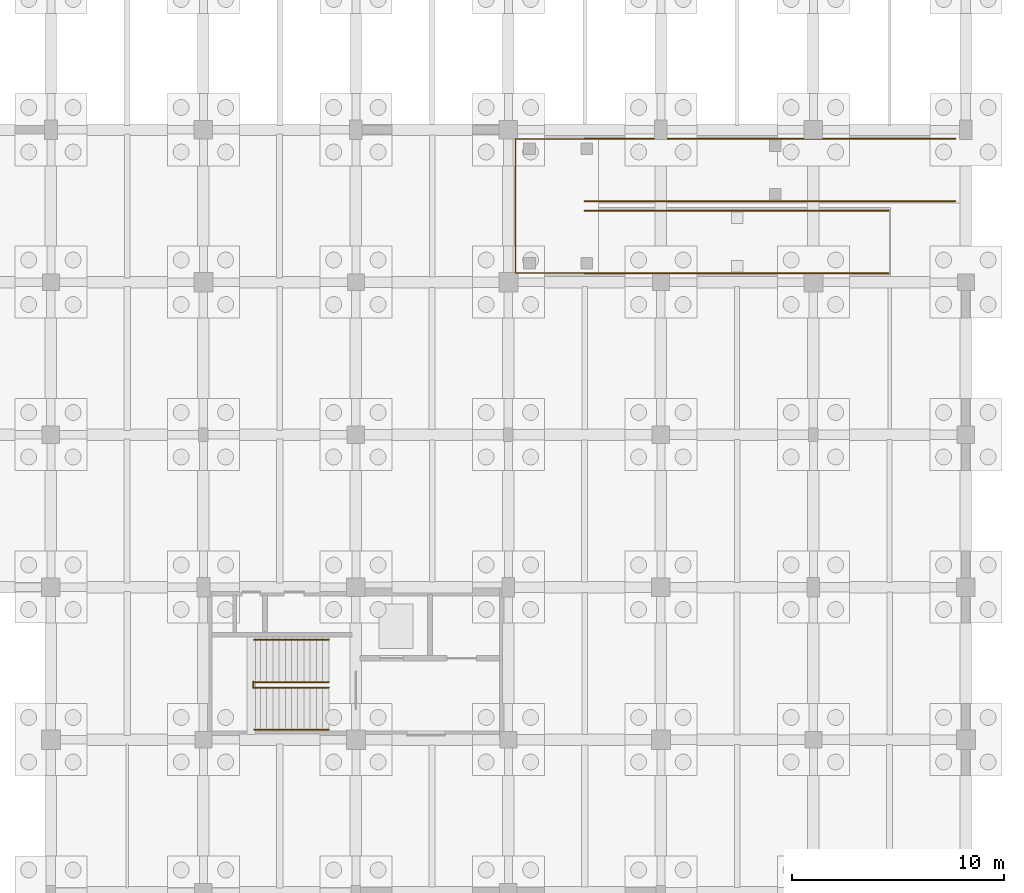
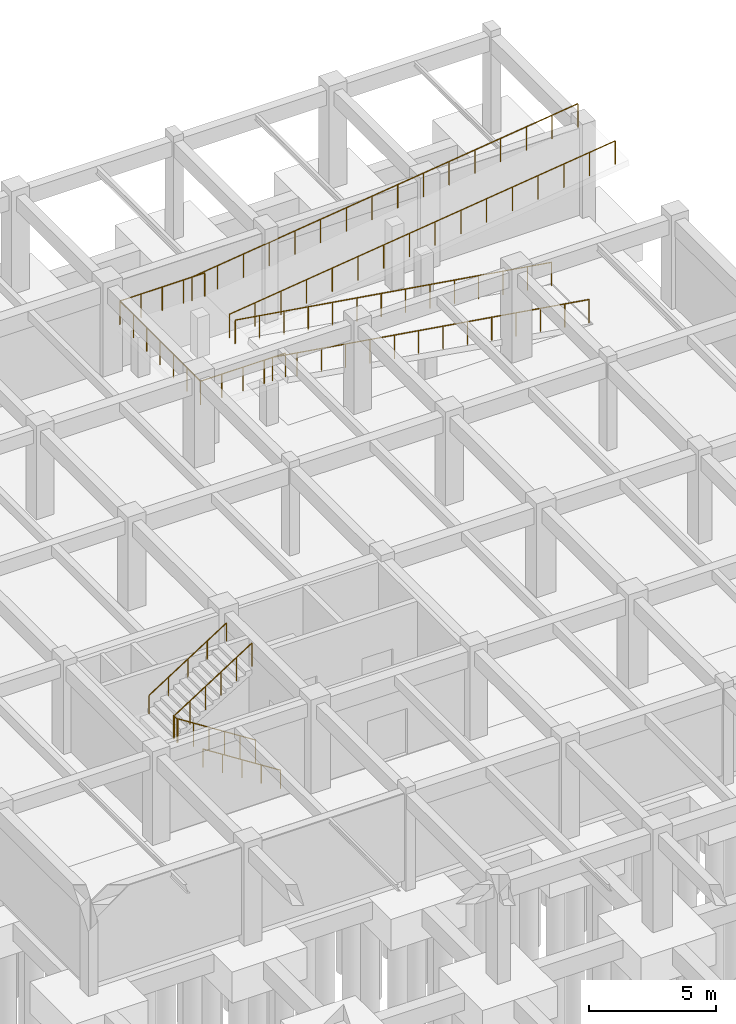
# One storey, part 46 of 47: 10 railings.
"""IFC4 building model written with IfcOpenShell, lengths in metres."""

import ifcopenshell
import ifcopenshell.guid

model = None  # the IFC model being written
_history = None  # IfcOwnerHistory: only IFC2X3 demands one
_inside = {}  # id of a spatial element -> (the spatial element, [elements in it])
_under = {}  # id of a project, library or spatial element -> (it, [spatial elements below it])
_declared = {}  # id of a project -> (the project, [libraries it declares])
_typed = {}  # id of a type object -> (the type object, [elements of that type])
_made_of = {}  # id of a material, layer set ... -> (it, [elements and type objects made of it])


def new_model(schema):
    """Start an empty IFC model of exactly this schema.

    Asked for "IFC4X3", IfcOpenShell would pick the latest addendum, in which some entities
    have other attributes; the version numbers below select the first issue.
    IFC2X3 requires an IfcOwnerHistory on every rooted entity: one is made here for all.
    """
    global model, _history
    if schema == "IFC4X3":
        model = ifcopenshell.file(schema_version=(4, 3, 0, 0))
    else:
        model = ifcopenshell.file(schema=schema)
    _inside.clear()
    _under.clear()
    _declared.clear()
    _typed.clear()
    _made_of.clear()
    _history = None
    if model.schema == "IFC2X3":
        org = make("IfcOrganization", Name="unknown")
        user = make(
            "IfcPersonAndOrganization",
            ThePerson=make("IfcPerson", FamilyName="unknown"),
            TheOrganization=org,
        )
        app = make(
            "IfcApplication",
            ApplicationDeveloper=org,
            Version="unknown",
            ApplicationFullName="unknown",
            ApplicationIdentifier="unknown",
        )
        _history = make(
            "IfcOwnerHistory",
            OwningUser=user,
            OwningApplication=app,
            ChangeAction="ADDED",
            CreationDate=0,
        )
    return model


def make(cls, **values):
    """One entity of the class cls with the attributes given. An attribute that is None is left unset."""
    return model.create_entity(
        cls, **{name: value for name, value in values.items() if value is not None}
    )


def rooted(cls, **values):
    """An entity with a GlobalId (a new one), such as an element, a storey or a relation."""
    return make(cls, GlobalId=ifcopenshell.guid.new(), OwnerHistory=_history, **values)


def si_unit(unit_type, name, prefix=None):
    """IfcSIUnit, for example si_unit("LENGTHUNIT", "METRE", prefix="MILLI")."""
    return make("IfcSIUnit", UnitType=unit_type, Prefix=prefix, Name=name)


def assignment(units):
    """IfcUnitAssignment: the units of a project."""
    return None if units is None else make("IfcUnitAssignment", Units=units)


def point(xyz):
    """IfcCartesianPoint."""
    return None if xyz is None else make("IfcCartesianPoint", Coordinates=xyz)


def direction(xyz):
    """IfcDirection."""
    return None if xyz is None else make("IfcDirection", DirectionRatios=xyz)


def frame(location, z_axis=None, x_axis=None):
    """IfcAxis2Placement3D, a coordinate frame: its origin and axes. An axis left out is left unset."""
    return make(
        "IfcAxis2Placement3D",
        Location=point(location),
        Axis=direction(z_axis),
        RefDirection=direction(x_axis),
    )


def frame_2d(location, x_axis=None):
    """IfcAxis2Placement2D, a coordinate frame in the plane: its origin and x axis."""
    return make(
        "IfcAxis2Placement2D", Location=point(location), RefDirection=direction(x_axis)
    )


def origin():
    """The frame at (0, 0, 0) with its axes left unset."""
    return frame((0.0, 0.0, 0.0))


def origin_2d():
    """The frame at (0, 0) in the plane with its x axis left unset."""
    return frame_2d((0.0, 0.0))


def place(relative_to, where):
    """IfcLocalPlacement: puts the frame where relative to a parent placement (None: the world)."""
    return make(
        "IfcLocalPlacement", PlacementRelTo=relative_to, RelativePlacement=where
    )


def context(
    kind, dimensions, precision=None, world=None, true_north=None, identifier=None
):
    """IfcGeometricRepresentationContext, for example the 3D "Model" context."""
    return make(
        "IfcGeometricRepresentationContext",
        ContextIdentifier=identifier,
        ContextType=kind,
        CoordinateSpaceDimension=dimensions,
        Precision=precision,
        WorldCoordinateSystem=world,
        TrueNorth=true_north,
    )


def subcontext(parent, identifier, kind, view, scale=None):
    """IfcGeometricRepresentationSubContext, for example "Body" below "Model"."""
    return make(
        "IfcGeometricRepresentationSubContext",
        ContextIdentifier=identifier,
        ContextType=kind,
        ParentContext=parent,
        TargetScale=scale,
        TargetView=view,
    )


def project(units=None, contexts=None):
    """IfcProject with its units and contexts."""
    return rooted(
        "IfcProject",
        Name="project",
        RepresentationContexts=contexts,
        UnitsInContext=assignment(units),
    )


def spatial(cls, under=None, at=None, **own):
    """A site, building, storey or space (cls), placed at a placement, below another one or the project."""
    s = rooted(cls, ObjectPlacement=at, **own)
    if under is not None:
        _under.setdefault(under.id(), (under, []))[1].append(s)
    return s


def profile(cls, at=None, kind="AREA", **sizes):
    """A parametric profile (cls). Its sizes go by their IFC names, for example OverallWidth=200.0."""
    return make(cls, ProfileType=kind, Position=at, **sizes)


def circle(**sizes):
    """IfcCircleProfileDef."""
    return profile("IfcCircleProfileDef", **sizes)


def extrude(swept, where, along, depth):
    """IfcExtrudedAreaSolid: the profile swept, set in the frame where, extruded along a direction by depth."""
    return make(
        "IfcExtrudedAreaSolid",
        SweptArea=swept,
        Position=where,
        ExtrudedDirection=direction(along),
        Depth=depth,
    )


def shape(context_of_items, identifier, shape_type, items):
    """IfcShapeRepresentation: the items that make up one representation, for example the "Body"."""
    return make(
        "IfcShapeRepresentation",
        ContextOfItems=context_of_items,
        RepresentationIdentifier=identifier,
        RepresentationType=shape_type,
        Items=items,
    )


def material(Name=None, Category=None):
    """IfcMaterial."""
    return make("IfcMaterial", Name=Name, Category=Category)


def made_of(thing, what):
    """Note that an element or type object is made of a material, layer set ...; save() writes the relation."""
    if what is not None:
        _made_of.setdefault(what.id(), (what, []))[1].append(thing)
    return thing


def type_object(cls, material=None, **own):
    """A type object (cls), such as IfcWallType, which elements share."""
    return made_of(rooted(cls, **own), material)


def element(
    cls,
    number,
    at=None,
    inside=None,
    cuts=None,
    type_object=None,
    material=None,
    context=None,
    identifier="Body",
    shape_type=None,
    held_by="IfcProductDefinitionShape",
    body=None,
    shapes=None,
    **own,
):
    """One element of the class cls, such as IfcWall. Its Tag is "e" and its number.

    at: its placement. inside: the storey or other place that contains it. cuts: it is an
    opening in that element (IfcRelVoidsElement). A single representation is given by context,
    identifier, shape_type and body (its items); several are given by shapes. held_by: the class
    of the entity that holds the representations. save() writes the other relations.
    """
    e = rooted(cls, Tag="e%d" % number, ObjectPlacement=at, **own)
    if body is not None:
        shapes = [shape(context, identifier, shape_type, body)]
    if shapes is not None:
        e.Representation = make(held_by, Representations=shapes)
    if inside is not None:
        _inside.setdefault(inside.id(), (inside, []))[1].append(e)
    if cuts is not None:
        rooted(
            "IfcRelVoidsElement", RelatingBuildingElement=cuts, RelatedOpeningElement=e
        )
    if type_object is not None:
        _typed.setdefault(type_object.id(), (type_object, []))[1].append(e)
    return made_of(e, material)


def aggregate(whole, parts):
    """IfcRelAggregates: a whole, such as a stair, and the parts it consists of."""
    return rooted("IfcRelAggregates", RelatingObject=whole, RelatedObjects=parts)


def save(model, path):
    """Write the relations noted so far, then the file.

    IfcRelAggregates (storeys below a building ...), IfcRelContainedInSpatialStructure (elements
    in a storey), IfcRelDefinesByType, IfcRelAssociatesMaterial and IfcRelDeclares: one each for
    every whole, place, type object, material and project.
    """
    for whole, parts in _under.values():
        aggregate(whole, parts)
    for where, things in _inside.values():
        rooted(
            "IfcRelContainedInSpatialStructure",
            RelatedElements=things,
            RelatingStructure=where,
        )
    for kind, things in _typed.values():
        rooted("IfcRelDefinesByType", RelatedObjects=things, RelatingType=kind)
    for what, things in _made_of.values():
        rooted("IfcRelAssociatesMaterial", RelatedObjects=things, RelatingMaterial=what)
    for by, libraries in _declared.values():
        rooted("IfcRelDeclares", RelatingContext=by, RelatedDefinitions=libraries)
    model.write(path)


model = new_model("IFC4")

# Units and contexts
model_context = context("Model", 3, precision=1e-05, world=origin(), true_north=direction((0.0, 1.0)))
body_context = subcontext(model_context, "Body", "Model", "MODEL_VIEW")
ifc_project = project(units=[si_unit("LENGTHUNIT", "METRE"), si_unit("AREAUNIT", "SQUARE_METRE"), si_unit("VOLUMEUNIT", "CUBIC_METRE"), si_unit("PLANEANGLEUNIT", "RADIAN"), si_unit("MASSUNIT", "GRAM", prefix="KILO")], contexts=[model_context])

# Site, building, storey
site_placement = place(None, origin())
site = spatial("IfcSite", under=ifc_project, at=site_placement, CompositionType="ELEMENT")
building_placement = place(site_placement, origin())
building = spatial("IfcBuilding", under=site, at=building_placement, Name="Thalmaran Polytechnic", CompositionType="ELEMENT")
storey_placement = place(building_placement, frame((0.0, 0.0, -4.5)))
storey = spatial("IfcBuildingStorey", under=building, at=storey_placement, Name="B1", CompositionType="ELEMENT", Elevation=-4.5)

# Railings
ifc_material = material(Name="Stainless steel 316", Category="steel")
railing_type_1 = type_object("IfcRailingType", Name="RL-GR01", PredefinedType="GUARDRAIL", material=ifc_material)
railing_1_placement = place(storey_placement, frame((142.719970703125, 88.860107421875, 0.0)))
element("IfcRailing", 1, at=railing_1_placement, inside=storey, type_object=railing_type_1, Name="ST5 B1 Lower Flight Guardrail", PredefinedType="GUARDRAIL", context=body_context, shape_type="SweptSolid", body=[
    extrude(circle(Radius=0.02392578125, at=origin_2d()), frame((0.0, 0.0, 1.1259765625), z_axis=(-0.84257692701, 0.0, 0.53857601327), x_axis=(0.0, -1.0, 0.0)), (0.0, 0.0, 1.0), 4.177734375),
    extrude(circle(Radius=0.02099609375, at=origin_2d()), origin(), (0.0, 0.0, 1.0), 1.101806640625),
    extrude(circle(Radius=0.02099609375, at=origin_2d()), frame((-0.7041015625, 0.0, 0.449951171875)), (0.0, 0.0, 1.0), 1.101806640625),
    extrude(circle(Radius=0.02099609375, at=origin_2d()), frame((-1.407958984375, 0.0, 0.89990234375)), (0.0, 0.0, 1.0), 1.101806640625),
    extrude(circle(Radius=0.02099609375, at=origin_2d()), frame((-2.112060546875, 0.0, 1.35009765625)), (0.0, 0.0, 1.0), 1.101806640625),
    extrude(circle(Radius=0.02099609375, at=origin_2d()), frame((-2.81591796875, 0.0, 1.800048828125)), (0.0, 0.0, 1.0), 1.101806640625),
    extrude(circle(Radius=0.02099609375, at=origin_2d()), frame((-3.52001953125, 0.0, 2.25)), (0.0, 0.0, 1.0), 1.101806640625),
])
railing_2_placement = place(storey_placement, frame((139.159912109375, 88.840087890625, 2.25)))
element("IfcRailing", 2, at=railing_2_placement, inside=storey, type_object=railing_type_1, Name="ST5 B1 Half-Landing Well Guardrail", PredefinedType="GUARDRAIL", context=body_context, shape_type="SweptSolid", body=[
    extrude(circle(Radius=0.02392578125, at=origin_2d()), frame((0.0, 0.0, 1.1259765625), z_axis=(0.0, 1.0, 0.0), x_axis=(-1.0, 0.0, 0.0)), (0.0, 0.0, 1.0), 0.2998046875),
    extrude(circle(Radius=0.02099609375, at=origin_2d()), origin(), (0.0, 0.0, 1.0), 1.101806640625),
    extrude(circle(Radius=0.02099609375, at=origin_2d()), frame((0.0, 0.2998046875, 0.0)), (0.0, 0.0, 1.0), 1.101806640625),
])
railing_3_placement = place(storey_placement, frame((139.199951171875, 89.1201171875, 2.25)))
element("IfcRailing", 3, at=railing_3_placement, inside=storey, type_object=railing_type_1, Name="ST5 B1 Upper Flight Guardrail", PredefinedType="GUARDRAIL", context=body_context, shape_type="SweptSolid", body=[
    extrude(circle(Radius=0.02392578125, at=origin_2d()), frame((0.0, 0.0, 1.1259765625), z_axis=(0.84257692701, 0.0, 0.53857601327), x_axis=(0.0, 1.0, 0.0)), (0.0, 0.0, 1.0), 4.177734375),
    extrude(circle(Radius=0.02099609375, at=origin_2d()), origin(), (0.0, 0.0, 1.0), 1.101806640625),
    extrude(circle(Radius=0.02099609375, at=origin_2d()), frame((0.7041015625, 0.0, 0.449951171875)), (0.0, 0.0, 1.0), 1.101806640625),
    extrude(circle(Radius=0.02099609375, at=origin_2d()), frame((1.407958984375, 0.0, 0.89990234375)), (0.0, 0.0, 1.0), 1.101806640625),
    extrude(circle(Radius=0.02099609375, at=origin_2d()), frame((2.112060546875, 0.0, 1.35009765625)), (0.0, 0.0, 1.0), 1.101806640625),
    extrude(circle(Radius=0.02099609375, at=origin_2d()), frame((2.81591796875, 0.0, 1.800048828125)), (0.0, 0.0, 1.0), 1.101806640625),
    extrude(circle(Radius=0.02099609375, at=origin_2d()), frame((3.52001953125, 0.0, 2.25)), (0.0, 0.0, 1.0), 1.101806640625),
])
railing_4_placement = place(storey_placement, frame((169.14990234375, 108.429931640625, 0.0)))
element("IfcRailing", 4, at=railing_4_placement, inside=storey, type_object=railing_type_1, Name="Vehicle Ramp Lower South Guardrail", PredefinedType="GUARDRAIL", context=body_context, shape_type="SweptSolid", body=[
    extrude(circle(Radius=0.02392578125, at=origin_2d()), frame((0.0, 0.0, 1.1259765625), z_axis=(-0.98792961546, 0.0, 0.154903437332), x_axis=(0.0, -1.0, 0.0)), (0.0, 0.0, 1.0), 14.525146484375),
    extrude(circle(Radius=0.02099609375, at=origin_2d()), origin(), (0.0, 0.0, 1.0), 1.101806640625),
    extrude(circle(Radius=0.02099609375, at=origin_2d()), frame((-1.103759765625, 0.0, 0.173095703125)), (0.0, 0.0, 1.0), 1.101806640625),
    extrude(circle(Radius=0.02099609375, at=origin_2d()), frame((-2.207763671875, 0.0, 0.34619140625)), (0.0, 0.0, 1.0), 1.101806640625),
    extrude(circle(Radius=0.02099609375, at=origin_2d()), frame((-3.3115234375, 0.0, 0.519287109375)), (0.0, 0.0, 1.0), 1.101806640625),
    extrude(circle(Radius=0.02099609375, at=origin_2d()), frame((-4.415283203125, 0.0, 0.6923828125)), (0.0, 0.0, 1.0), 1.101806640625),
    extrude(circle(Radius=0.02099609375, at=origin_2d()), frame((-5.519287109375, 0.0, 0.865478515625)), (0.0, 0.0, 1.0), 1.101806640625),
    extrude(circle(Radius=0.02099609375, at=origin_2d()), frame((-6.623046875, 0.0, 1.03857421875)), (0.0, 0.0, 1.0), 1.101806640625),
    extrude(circle(Radius=0.02099609375, at=origin_2d()), frame((-7.726806640625, 0.0, 1.21142578125)), (0.0, 0.0, 1.0), 1.101806640625),
    extrude(circle(Radius=0.02099609375, at=origin_2d()), frame((-8.83056640625, 0.0, 1.384521484375)), (0.0, 0.0, 1.0), 1.101806640625),
    extrude(circle(Radius=0.02099609375, at=origin_2d()), frame((-9.9345703125, 0.0, 1.5576171875)), (0.0, 0.0, 1.0), 1.101806640625),
    extrude(circle(Radius=0.02099609375, at=origin_2d()), frame((-11.038330078125, 0.0, 1.730712890625)), (0.0, 0.0, 1.0), 1.101806640625),
    extrude(circle(Radius=0.02099609375, at=origin_2d()), frame((-12.14208984375, 0.0, 1.90380859375)), (0.0, 0.0, 1.0), 1.101806640625),
    extrude(circle(Radius=0.02099609375, at=origin_2d()), frame((-13.24609375, 0.0, 2.076904296875)), (0.0, 0.0, 1.0), 1.101806640625),
    extrude(circle(Radius=0.02099609375, at=origin_2d()), frame((-14.349853515625, 0.0, 2.25)), (0.0, 0.0, 1.0), 1.101806640625),
])
railing_5_placement = place(storey_placement, frame((155.3798828125, 108.429931640625, 2.25)))
element("IfcRailing", 5, at=railing_5_placement, inside=storey, type_object=railing_type_1, Name="Vehicle Ramp Half-Landing Perimeter Guardrail", PredefinedType="GUARDRAIL", context=body_context, shape_type="SweptSolid", body=[
    extrude(circle(Radius=0.02392578125, at=origin_2d()), frame((0.0, 0.0, 1.1259765625), z_axis=(-1.0, 0.0, 0.0), x_axis=(0.0, -1.0, 0.0)), (0.0, 0.0, 1.0), 3.849853515625),
    extrude(circle(Radius=0.02392578125, at=origin_2d()), frame((-3.849853515625, 0.0, 1.1259765625), z_axis=(0.0, 1.0, 0.0), x_axis=(-1.0, 0.0, 0.0)), (0.0, 0.0, 1.0), 6.340087890625),
    extrude(circle(Radius=0.02392578125, at=origin_2d()), frame((-3.849853515625, 6.340087890625, 1.1259765625), z_axis=(1.0, 0.0, 0.0), x_axis=(0.0, 1.0, 0.0)), (0.0, 0.0, 1.0), 3.849853515625),
    extrude(circle(Radius=0.02099609375, at=origin_2d()), origin(), (0.0, 0.0, 1.0), 1.101806640625),
    extrude(circle(Radius=0.02099609375, at=origin_2d()), frame((-0.96240234375, 0.0, 0.0)), (0.0, 0.0, 1.0), 1.101806640625),
    extrude(circle(Radius=0.02099609375, at=origin_2d()), frame((-1.9248046875, 0.0, 0.0)), (0.0, 0.0, 1.0), 1.101806640625),
    extrude(circle(Radius=0.02099609375, at=origin_2d()), frame((-2.887451171875, 0.0, 0.0)), (0.0, 0.0, 1.0), 1.101806640625),
    extrude(circle(Radius=0.02099609375, at=origin_2d()), frame((-3.849853515625, 0.0, 0.0)), (0.0, 0.0, 1.0), 1.101806640625),
    extrude(circle(Radius=0.02099609375, at=origin_2d()), frame((-3.849853515625, 1.056640625, 0.0)), (0.0, 0.0, 1.0), 1.101806640625),
    extrude(circle(Radius=0.02099609375, at=origin_2d()), frame((-3.849853515625, 2.11328125, 0.0)), (0.0, 0.0, 1.0), 1.101806640625),
    extrude(circle(Radius=0.02099609375, at=origin_2d()), frame((-3.849853515625, 3.169921875, 0.0)), (0.0, 0.0, 1.0), 1.101806640625),
    extrude(circle(Radius=0.02099609375, at=origin_2d()), frame((-3.849853515625, 4.226806640625, 0.0)), (0.0, 0.0, 1.0), 1.101806640625),
    extrude(circle(Radius=0.02099609375, at=origin_2d()), frame((-3.849853515625, 5.283447265625, 0.0)), (0.0, 0.0, 1.0), 1.101806640625),
    extrude(circle(Radius=0.02099609375, at=origin_2d()), frame((-3.849853515625, 6.340087890625, 0.0)), (0.0, 0.0, 1.0), 1.101806640625),
    extrude(circle(Radius=0.02099609375, at=origin_2d()), frame((-2.887451171875, 6.340087890625, 0.0)), (0.0, 0.0, 1.0), 1.101806640625),
    extrude(circle(Radius=0.02099609375, at=origin_2d()), frame((-1.9248046875, 6.340087890625, 0.0)), (0.0, 0.0, 1.0), 1.101806640625),
    extrude(circle(Radius=0.02099609375, at=origin_2d()), frame((-0.96240234375, 6.340087890625, 0.0)), (0.0, 0.0, 1.0), 1.101806640625),
    extrude(circle(Radius=0.02099609375, at=origin_2d()), frame((0.0, 6.340087890625, 0.0)), (0.0, 0.0, 1.0), 1.101806640625),
])
railing_6_placement = place(storey_placement, frame((154.800048828125, 111.3701171875, 2.25)))
element("IfcRailing", 6, at=railing_6_placement, inside=storey, type_object=railing_type_1, Name="Vehicle Ramp Lower Divider Guardrail", PredefinedType="GUARDRAIL", context=body_context, shape_type="SweptSolid", body=[
    extrude(circle(Radius=0.02392578125, at=origin_2d()), frame((0.0, 0.0, 1.1259765625), z_axis=(0.98792961546, 0.0, -0.154903437332), x_axis=(0.0, 1.0, 0.0)), (0.0, 0.0, 1.0), 14.525146484375),
    extrude(circle(Radius=0.02099609375, at=origin_2d()), origin(), (0.0, 0.0, 1.0), 1.101806640625),
    extrude(circle(Radius=0.02099609375, at=origin_2d()), frame((1.103759765625, 0.0, -0.173095703125)), (0.0, 0.0, 1.0), 1.101806640625),
    extrude(circle(Radius=0.02099609375, at=origin_2d()), frame((2.207763671875, 0.0, -0.34619140625)), (0.0, 0.0, 1.0), 1.101806640625),
    extrude(circle(Radius=0.02099609375, at=origin_2d()), frame((3.3115234375, 0.0, -0.519287109375)), (0.0, 0.0, 1.0), 1.101806640625),
    extrude(circle(Radius=0.02099609375, at=origin_2d()), frame((4.415283203125, 0.0, -0.6923828125)), (0.0, 0.0, 1.0), 1.101806640625),
    extrude(circle(Radius=0.02099609375, at=origin_2d()), frame((5.519287109375, 0.0, -0.865478515625)), (0.0, 0.0, 1.0), 1.101806640625),
    extrude(circle(Radius=0.02099609375, at=origin_2d()), frame((6.623046875, 0.0, -1.03857421875)), (0.0, 0.0, 1.0), 1.101806640625),
    extrude(circle(Radius=0.02099609375, at=origin_2d()), frame((7.726806640625, 0.0, -1.21142578125)), (0.0, 0.0, 1.0), 1.101806640625),
    extrude(circle(Radius=0.02099609375, at=origin_2d()), frame((8.83056640625, 0.0, -1.384521484375)), (0.0, 0.0, 1.0), 1.101806640625),
    extrude(circle(Radius=0.02099609375, at=origin_2d()), frame((9.9345703125, 0.0, -1.5576171875)), (0.0, 0.0, 1.0), 1.101806640625),
    extrude(circle(Radius=0.02099609375, at=origin_2d()), frame((11.038330078125, 0.0, -1.730712890625)), (0.0, 0.0, 1.0), 1.101806640625),
    extrude(circle(Radius=0.02099609375, at=origin_2d()), frame((12.14208984375, 0.0, -1.90380859375)), (0.0, 0.0, 1.0), 1.101806640625),
    extrude(circle(Radius=0.02099609375, at=origin_2d()), frame((13.24609375, 0.0, -2.076904296875)), (0.0, 0.0, 1.0), 1.101806640625),
    extrude(circle(Radius=0.02099609375, at=origin_2d()), frame((14.349853515625, 0.0, -2.25)), (0.0, 0.0, 1.0), 1.101806640625),
])
railing_7_placement = place(storey_placement, frame((154.800048828125, 111.830078125, 2.25)))
element("IfcRailing", 7, at=railing_7_placement, inside=storey, type_object=railing_type_1, Name="Vehicle Ramp Upper Divider Guardrail", PredefinedType="GUARDRAIL", context=body_context, shape_type="SweptSolid", body=[
    extrude(circle(Radius=0.02392578125, at=origin_2d()), frame((0.0, 0.0, 1.1259765625), z_axis=(0.992260829907, 0.0, 0.124171032984), x_axis=(0.0, 1.0, 0.0)), (0.0, 0.0, 1.0), 17.636474609375),
    extrude(circle(Radius=0.02099609375, at=origin_2d()), origin(), (0.0, 0.0, 1.0), 1.101806640625),
    extrude(circle(Radius=0.02099609375, at=origin_2d()), frame((1.166748046875, 0.0, 0.14599609375)), (0.0, 0.0, 1.0), 1.101806640625),
    extrude(circle(Radius=0.02099609375, at=origin_2d()), frame((2.333251953125, 0.0, 0.2919921875)), (0.0, 0.0, 1.0), 1.101806640625),
    extrude(circle(Radius=0.02099609375, at=origin_2d()), frame((3.5, 0.0, 0.43798828125)), (0.0, 0.0, 1.0), 1.101806640625),
    extrude(circle(Radius=0.02099609375, at=origin_2d()), frame((4.666748046875, 0.0, 0.583984375)), (0.0, 0.0, 1.0), 1.101806640625),
    extrude(circle(Radius=0.02099609375, at=origin_2d()), frame((5.833251953125, 0.0, 0.72998046875)), (0.0, 0.0, 1.0), 1.101806640625),
    extrude(circle(Radius=0.02099609375, at=origin_2d()), frame((7.0, 0.0, 0.8759765625)), (0.0, 0.0, 1.0), 1.101806640625),
    extrude(circle(Radius=0.02099609375, at=origin_2d()), frame((8.166748046875, 0.0, 1.02197265625)), (0.0, 0.0, 1.0), 1.101806640625),
    extrude(circle(Radius=0.02099609375, at=origin_2d()), frame((9.333251953125, 0.0, 1.16796875)), (0.0, 0.0, 1.0), 1.101806640625),
    extrude(circle(Radius=0.02099609375, at=origin_2d()), frame((10.5, 0.0, 1.31396484375)), (0.0, 0.0, 1.0), 1.101806640625),
    extrude(circle(Radius=0.02099609375, at=origin_2d()), frame((11.666748046875, 0.0, 1.4599609375)), (0.0, 0.0, 1.0), 1.101806640625),
    extrude(circle(Radius=0.02099609375, at=origin_2d()), frame((12.833251953125, 0.0, 1.60595703125)), (0.0, 0.0, 1.0), 1.101806640625),
    extrude(circle(Radius=0.02099609375, at=origin_2d()), frame((14.0, 0.0, 1.751953125)), (0.0, 0.0, 1.0), 1.101806640625),
    extrude(circle(Radius=0.02099609375, at=origin_2d()), frame((15.166748046875, 0.0, 1.89794921875)), (0.0, 0.0, 1.0), 1.101806640625),
    extrude(circle(Radius=0.02099609375, at=origin_2d()), frame((16.333251953125, 0.0, 2.0439453125)), (0.0, 0.0, 1.0), 1.101806640625),
    extrude(circle(Radius=0.02099609375, at=origin_2d()), frame((17.5, 0.0, 2.18994140625)), (0.0, 0.0, 1.0), 1.101806640625),
])
railing_8_placement = place(storey_placement, frame((154.800048828125, 114.77001953125, 2.25)))
element("IfcRailing", 8, at=railing_8_placement, inside=storey, type_object=railing_type_1, Name="Vehicle Ramp Upper North Guardrail", PredefinedType="GUARDRAIL", context=body_context, shape_type="SweptSolid", body=[
    extrude(circle(Radius=0.02392578125, at=origin_2d()), frame((0.0, 0.0, 1.1259765625), z_axis=(0.992260829907, 0.0, 0.124171032984), x_axis=(0.0, 1.0, 0.0)), (0.0, 0.0, 1.0), 17.636474609375),
    extrude(circle(Radius=0.02099609375, at=origin_2d()), origin(), (0.0, 0.0, 1.0), 1.101806640625),
    extrude(circle(Radius=0.02099609375, at=origin_2d()), frame((1.166748046875, 0.0, 0.14599609375)), (0.0, 0.0, 1.0), 1.101806640625),
    extrude(circle(Radius=0.02099609375, at=origin_2d()), frame((2.333251953125, 0.0, 0.2919921875)), (0.0, 0.0, 1.0), 1.101806640625),
    extrude(circle(Radius=0.02099609375, at=origin_2d()), frame((3.5, 0.0, 0.43798828125)), (0.0, 0.0, 1.0), 1.101806640625),
    extrude(circle(Radius=0.02099609375, at=origin_2d()), frame((4.666748046875, 0.0, 0.583984375)), (0.0, 0.0, 1.0), 1.101806640625),
    extrude(circle(Radius=0.02099609375, at=origin_2d()), frame((5.833251953125, 0.0, 0.72998046875)), (0.0, 0.0, 1.0), 1.101806640625),
    extrude(circle(Radius=0.02099609375, at=origin_2d()), frame((7.0, 0.0, 0.8759765625)), (0.0, 0.0, 1.0), 1.101806640625),
    extrude(circle(Radius=0.02099609375, at=origin_2d()), frame((8.166748046875, 0.0, 1.02197265625)), (0.0, 0.0, 1.0), 1.101806640625),
    extrude(circle(Radius=0.02099609375, at=origin_2d()), frame((9.333251953125, 0.0, 1.16796875)), (0.0, 0.0, 1.0), 1.101806640625),
    extrude(circle(Radius=0.02099609375, at=origin_2d()), frame((10.5, 0.0, 1.31396484375)), (0.0, 0.0, 1.0), 1.101806640625),
    extrude(circle(Radius=0.02099609375, at=origin_2d()), frame((11.666748046875, 0.0, 1.4599609375)), (0.0, 0.0, 1.0), 1.101806640625),
    extrude(circle(Radius=0.02099609375, at=origin_2d()), frame((12.833251953125, 0.0, 1.60595703125)), (0.0, 0.0, 1.0), 1.101806640625),
    extrude(circle(Radius=0.02099609375, at=origin_2d()), frame((14.0, 0.0, 1.751953125)), (0.0, 0.0, 1.0), 1.101806640625),
    extrude(circle(Radius=0.02099609375, at=origin_2d()), frame((15.166748046875, 0.0, 1.89794921875)), (0.0, 0.0, 1.0), 1.101806640625),
    extrude(circle(Radius=0.02099609375, at=origin_2d()), frame((16.333251953125, 0.0, 2.0439453125)), (0.0, 0.0, 1.0), 1.101806640625),
    extrude(circle(Radius=0.02099609375, at=origin_2d()), frame((17.5, 0.0, 2.18994140625)), (0.0, 0.0, 1.0), 1.101806640625),
])
railing_type_2 = type_object("IfcRailingType", Name="RL-HR01", PredefinedType="HANDRAIL", material=ifc_material)
railing_9_placement = place(storey_placement, frame((142.719970703125, 86.8798828125, 0.0)))
element("IfcRailing", 9, at=railing_9_placement, inside=storey, type_object=railing_type_2, Name="ST5 B1 Flight 1 Handrail", PredefinedType="HANDRAIL", context=body_context, shape_type="SweptSolid", body=[
    extrude(circle(Radius=0.02392578125, at=origin_2d()), frame((0.0, 0.0, 0.8759765625), z_axis=(-0.84257692701, 0.0, 0.53857601327), x_axis=(0.0, -1.0, 0.0)), (0.0, 0.0, 1.0), 4.177734375),
    extrude(circle(Radius=0.02099609375, at=origin_2d()), origin(), (0.0, 0.0, 1.0), 0.851806640625),
    extrude(circle(Radius=0.02099609375, at=origin_2d()), frame((-0.8798828125, 0.0, 0.5625)), (0.0, 0.0, 1.0), 0.851806640625),
    extrude(circle(Radius=0.02099609375, at=origin_2d()), frame((-1.760009765625, 0.0, 1.125)), (0.0, 0.0, 1.0), 0.851806640625),
    extrude(circle(Radius=0.02099609375, at=origin_2d()), frame((-2.64013671875, 0.0, 1.6875)), (0.0, 0.0, 1.0), 0.851806640625),
    extrude(circle(Radius=0.02099609375, at=origin_2d()), frame((-3.52001953125, 0.0, 2.25)), (0.0, 0.0, 1.0), 0.851806640625),
])
railing_10_placement = place(storey_placement, frame((139.199951171875, 91.1201171875, 2.25)))
element("IfcRailing", 10, at=railing_10_placement, inside=storey, type_object=railing_type_2, Name="ST5 B1 Flight 2 Handrail", PredefinedType="HANDRAIL", context=body_context, shape_type="SweptSolid", body=[
    extrude(circle(Radius=0.02392578125, at=origin_2d()), frame((0.0, 0.0, 0.8759765625), z_axis=(0.84257692701, 0.0, 0.53857601327), x_axis=(0.0, 1.0, 0.0)), (0.0, 0.0, 1.0), 4.177734375),
    extrude(circle(Radius=0.02099609375, at=origin_2d()), origin(), (0.0, 0.0, 1.0), 0.851806640625),
    extrude(circle(Radius=0.02099609375, at=origin_2d()), frame((0.8798828125, 0.0, 0.5625)), (0.0, 0.0, 1.0), 0.851806640625),
    extrude(circle(Radius=0.02099609375, at=origin_2d()), frame((1.760009765625, 0.0, 1.125)), (0.0, 0.0, 1.0), 0.851806640625),
    extrude(circle(Radius=0.02099609375, at=origin_2d()), frame((2.64013671875, 0.0, 1.6875)), (0.0, 0.0, 1.0), 0.851806640625),
    extrude(circle(Radius=0.02099609375, at=origin_2d()), frame((3.52001953125, 0.0, 2.25)), (0.0, 0.0, 1.0), 0.851806640625),
])

save(model, "model.ifc")
